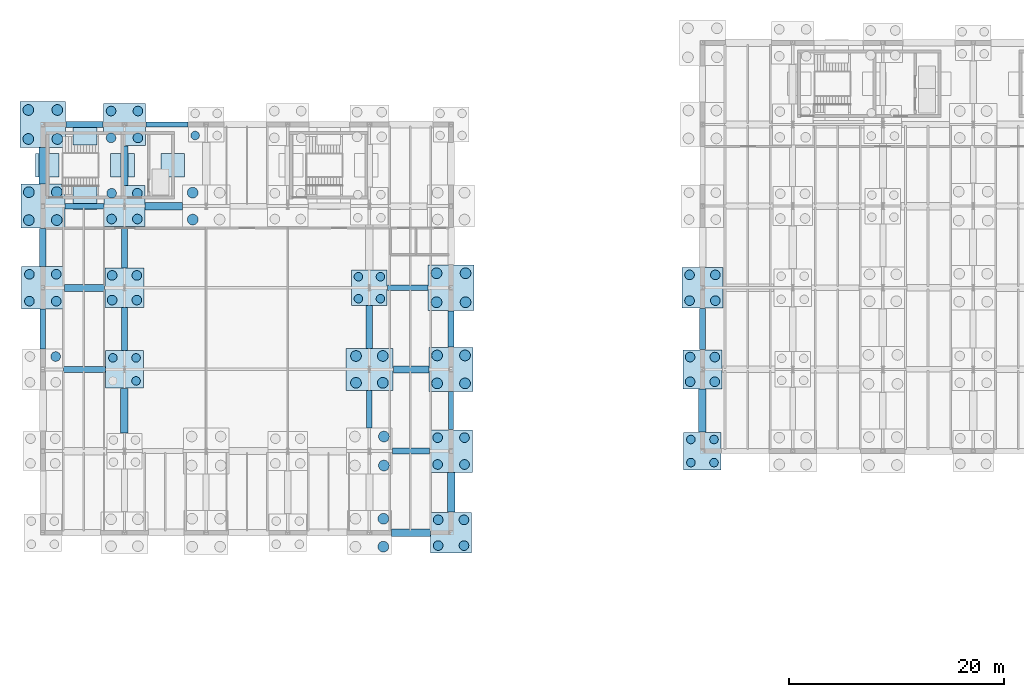
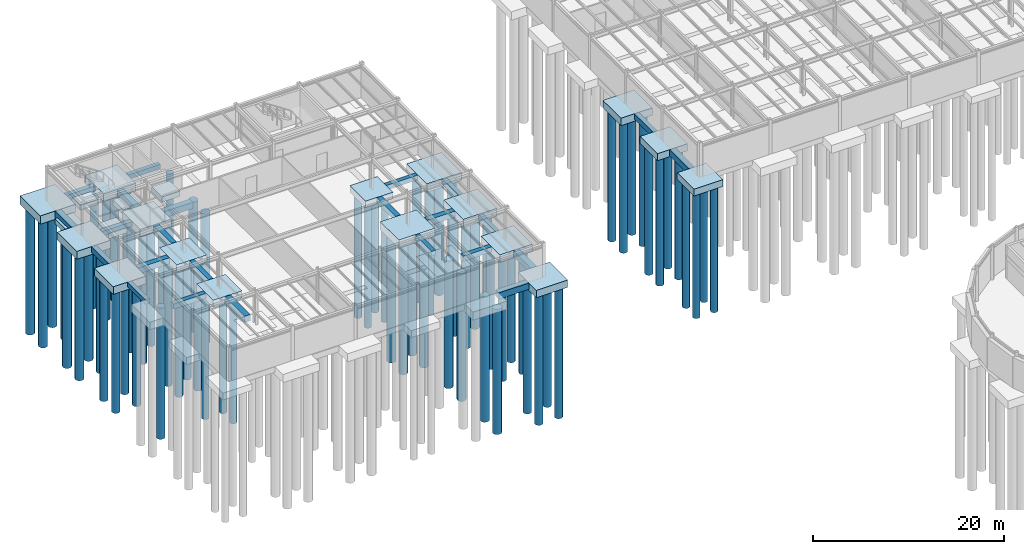
# One storey, part 2 of 33: 71 piles, 45 footings.
"""IFC4 building model written with IfcOpenShell, lengths in metres."""

from ifc_helpers import new_model, si_unit, direction, frame, origin, origin_2d, place, context, subcontext, project, spatial, rectangle, circle, extrude, material, material_profile, profile_set, type_object, element, save


model = new_model("IFC4")

# Units and contexts
model_context = context("Model", 3, precision=1e-05, world=origin(), true_north=direction((0.0, 1.0)))
body_context = subcontext(model_context, "Body", "Model", "MODEL_VIEW")
ifc_project = project(units=[si_unit("LENGTHUNIT", "METRE"), si_unit("AREAUNIT", "SQUARE_METRE"), si_unit("VOLUMEUNIT", "CUBIC_METRE"), si_unit("PLANEANGLEUNIT", "RADIAN"), si_unit("MASSUNIT", "GRAM", prefix="KILO")], contexts=[model_context])

# Site, building, storey
site_placement = place(None, origin())
site = spatial("IfcSite", under=ifc_project, at=site_placement, CompositionType="ELEMENT")
building_placement = place(site_placement, origin())
building = spatial("IfcBuilding", under=site, at=building_placement, Name="Montecoro Central Library", CompositionType="ELEMENT")
storey_placement = place(building_placement, frame((0.0, 0.0, -4.419921875)))
storey = spatial("IfcBuildingStorey", under=building, at=storey_placement, Name="B1", CompositionType="ELEMENT", Elevation=-4.419921875)

# Footings
ifc_material = material(Name="Concrete C35/45", Category="concrete")
footing_type_1 = type_object("IfcFootingType", Name="FT-PAD-220", PredefinedType="PAD_FOOTING", material=ifc_material)
for number, where, z_axis, x_axis, name in (
    (1, (8.919921875, 104.60009765625, -1.150146484375), (0.0, 0.0, 1.0), (1.0, 0.0, 0.0), "FT-WALL-C5-WS"),
    (2, (8.919921875, 110.60009765625, -1.150146484375), (0.0, 0.0, 1.0), (1.0, 0.0, 0.0), "FT-WALL-C5-WN"),
    (3, (5.419921875, 107.60009765625, -1.150146484375), (0.0, 0.0, 1.0), (1.0, 0.0, 0.0), "FT-WALL-C5-WW"),
    (4, (12.419921875, 107.60009765625, -1.150146484375), (0.0, 0.0, 1.0), (1.0, 0.0, 0.0), "FT-WALL-C5-WE"),
    (5, (17.10009765625, 107.60009765625, -1.150146484375), (0.0, 0.0, 1.0), (1.0, 0.0, 0.0), "FT-WALL-C5-LWE"),
):
    element("IfcFooting", number, at=place(storey_placement, frame(where, z_axis=z_axis, x_axis=x_axis)), inside=storey, type_object=footing_type_1, Name=name, PredefinedType="PAD_FOOTING", context=body_context, shape_type="SweptSolid", body=[
        extrude(rectangle(XDim=2.199951171875, YDim=2.199951171875, at=origin_2d()), origin(), (0.0, 0.0, 1.0), 0.64990234375),
    ])
footing_type_2 = type_object("IfcFootingType", Name="FT-PC-330", PredefinedType="PILE_CAP", material=ifc_material)
footing_1_placement = place(storey_placement, frame((35.39990234375, 96.199951171875, -0.85009765625), z_axis=(0.0, 0.0, 1.0), x_axis=(1.0, 0.0, 0.0)))
element("IfcFooting", 6, at=footing_1_placement, inside=storey, type_object=footing_type_2, Name="V4-CAP-5-N", PredefinedType="PILE_CAP", context=body_context, shape_type="SweptSolid", body=[
    extrude(rectangle(XDim=3.300048828125, YDim=3.300048828125, at=origin_2d()), origin(), (0.0, 0.0, 1.0), 0.85009765625),
])
footing_type_3 = type_object("IfcFootingType", Name="FT-PC-350", PredefinedType="PILE_CAP", material=ifc_material)
for number, where, z_axis, x_axis, name in (
    (7, (66.39990234375, 81.0, -0.880126953125), (0.0, 0.0, 1.0), (1.0, 0.0, 0.0), "V2-CAP-9-L"),
    (8, (12.60009765625, 88.60009765625, -0.880126953125), (0.0, 0.0, 1.0), (1.0, 0.0, 0.0), "V4-CAP-2-M"),
):
    element("IfcFooting", number, at=place(storey_placement, frame(where, z_axis=z_axis, x_axis=x_axis)), inside=storey, type_object=footing_type_3, Name=name, PredefinedType="PILE_CAP", context=body_context, shape_type="SweptSolid", body=[
        extrude(rectangle(XDim=3.5, YDim=3.5, at=origin_2d()), origin(), (0.0, 0.0, 1.0), 0.8798828125),
    ])
footing_type_4 = type_object("IfcFootingType", Name="FT-PC-365", PredefinedType="PILE_CAP", material=ifc_material)
for number, where, z_axis, x_axis, name in (
    (9, (66.39990234375, 88.60009765625, -0.900146484375), (0.0, 0.0, 1.0), (1.0, 0.0, 0.0), "V2-CAP-9-M"),
    (10, (12.60009765625, 96.199951171875, -0.900146484375), (0.0, 0.0, 1.0), (1.0, 0.0, 0.0), "V4-CAP-2-N"),
):
    element("IfcFooting", number, at=place(storey_placement, frame(where, z_axis=z_axis, x_axis=x_axis)), inside=storey, type_object=footing_type_4, Name=name, PredefinedType="PILE_CAP", context=body_context, shape_type="SweptSolid", body=[
        extrude(rectangle(XDim=3.64990234375, YDim=3.64990234375, at=origin_2d()), origin(), (0.0, 0.0, 1.0), 0.89990234375),
    ])
footing_type_5 = type_object("IfcFootingType", Name="FT-PC-380", PredefinedType="PILE_CAP", material=ifc_material)
for number, where, z_axis, x_axis, name in (
    (11, (66.39990234375, 96.199951171875, -0.9501953125), (0.0, 0.0, 1.0), (1.0, 0.0, 0.0), "V2-CAP-9-N"),
    (12, (12.60009765625, 103.800048828125, -0.9501953125), (0.0, 0.0, 1.0), (1.0, 0.0, 0.0), "V4-CAP-2-P"),
    (13, (43.0, 73.39990234375, -0.9501953125), (0.0, 0.0, 1.0), (1.0, 0.0, 0.0), "V4-CAP-6-K"),
):
    element("IfcFooting", number, at=place(storey_placement, frame(where, z_axis=z_axis, x_axis=x_axis)), inside=storey, type_object=footing_type_5, Name=name, PredefinedType="PILE_CAP", context=body_context, shape_type="SweptSolid", body=[
        extrude(rectangle(XDim=3.800048828125, YDim=3.800048828125, at=origin_2d()), origin(), (0.0, 0.0, 1.0), 0.949951171875),
    ])
footing_type_6 = type_object("IfcFootingType", Name="FT-PC-395", PredefinedType="PILE_CAP", material=ifc_material)
for number, where, z_axis, x_axis, name in (
    (14, (5.0, 96.199951171875, -0.97998046875), (0.0, 0.0, 1.0), (1.0, 0.0, 0.0), "V4-CAP-1-N"),
    (15, (12.60009765625, 111.39990234375, -0.97998046875), (0.0, 0.0, 1.0), (1.0, 0.0, 0.0), "V4-CAP-2-Q"),
    (16, (43.0, 81.0, -0.97998046875), (0.0, 0.0, 1.0), (1.0, 0.0, 0.0), "V4-CAP-6-L"),
):
    element("IfcFooting", number, at=place(storey_placement, frame(where, z_axis=z_axis, x_axis=x_axis)), inside=storey, type_object=footing_type_6, Name=name, PredefinedType="PILE_CAP", context=body_context, shape_type="SweptSolid", body=[
        extrude(rectangle(XDim=3.949951171875, YDim=3.949951171875, at=origin_2d()), origin(), (0.0, 0.0, 1.0), 0.97998046875),
    ])
footing_type_7 = type_object("IfcFootingType", Name="FT-PC-410", PredefinedType="PILE_CAP", material=ifc_material)
for number, where, z_axis, x_axis, name in (
    (17, (5.0, 103.800048828125, -1.02001953125), (0.0, 0.0, 1.0), (1.0, 0.0, 0.0), "V4-CAP-1-P"),
    (18, (43.0, 88.60009765625, -1.02001953125), (0.0, 0.0, 1.0), (1.0, 0.0, 0.0), "V4-CAP-6-M"),
):
    element("IfcFooting", number, at=place(storey_placement, frame(where, z_axis=z_axis, x_axis=x_axis)), inside=storey, type_object=footing_type_7, Name=name, PredefinedType="PILE_CAP", context=body_context, shape_type="SweptSolid", body=[
        extrude(rectangle(XDim=4.10009765625, YDim=4.10009765625, at=origin_2d()), origin(), (0.0, 0.0, 1.0), 1.02001953125),
    ])
footing_type_8 = type_object("IfcFootingType", Name="FT-PC-425", PredefinedType="PILE_CAP", material=ifc_material)
for number, where, z_axis, x_axis, name in (
    (19, (5.0, 111.39990234375, -1.06005859375), (0.0, 0.0, 1.0), (1.0, 0.0, 0.0), "V4-CAP-1-Q"),
    (20, (43.0, 96.199951171875, -1.06005859375), (0.0, 0.0, 1.0), (1.0, 0.0, 0.0), "V4-CAP-6-N"),
):
    element("IfcFooting", number, at=place(storey_placement, frame(where, z_axis=z_axis, x_axis=x_axis)), inside=storey, type_object=footing_type_8, Name=name, PredefinedType="PILE_CAP", context=body_context, shape_type="SweptSolid", body=[
        extrude(rectangle(XDim=4.25, YDim=4.25, at=origin_2d()), origin(), (0.0, 0.0, 1.0), 1.06005859375),
    ])
footing_type_9 = type_object("IfcFootingType", Name="FT-PC-440", PredefinedType="PILE_CAP", material=ifc_material)
footing_2_placement = place(storey_placement, frame((35.39990234375, 88.60009765625, -1.05029296875), z_axis=(0.0, 0.0, 1.0), x_axis=(1.0, 0.0, 0.0)))
element("IfcFooting", 21, at=footing_2_placement, inside=storey, type_object=footing_type_9, Name="V4-CAP-5-M", PredefinedType="PILE_CAP", context=body_context, shape_type="SweptSolid", body=[
    extrude(rectangle(XDim=4.39990234375, YDim=3.89990234375, at=origin_2d()), origin(), (0.0, 0.0, 1.0), 1.050048828125),
])
footing_type_10 = type_object("IfcFootingType", Name="FT-TB-01", PredefinedType="FOOTING_BEAM", material=ifc_material)
footing_3_placement = place(storey_placement, frame((5.0, 92.362060546875, -0.60009765625), z_axis=(0.0, 0.0, 1.0), x_axis=(1.0, 0.0, 0.0)))
element("IfcFooting", 22, at=footing_3_placement, inside=storey, type_object=footing_type_10, Name="FT-TBY-005", PredefinedType="FOOTING_BEAM", context=body_context, shape_type="SweptSolid", body=[
    extrude(rectangle(XDim=0.5, YDim=3.68505859375, at=origin_2d()), origin(), (0.0, 0.0, 1.0), 0.60009765625),
])
footing_4_placement = place(storey_placement, frame((8.875, 103.800048828125, -0.60009765625), z_axis=(0.0, 0.0, 1.0), x_axis=(1.0, 0.0, 0.0)))
element("IfcFooting", 23, at=footing_4_placement, inside=storey, type_object=footing_type_10, Name="FT-TBX-010", PredefinedType="FOOTING_BEAM", context=body_context, shape_type="SweptSolid", body=[
    extrude(rectangle(XDim=3.610107421875, YDim=0.5, at=origin_2d()), origin(), (0.0, 0.0, 1.0), 0.60009765625),
])
footing_5_placement = place(storey_placement, frame((16.56201171875, 111.39990234375, -0.60009765625), z_axis=(0.0, 0.0, 1.0), x_axis=(1.0, 0.0, 0.0)))
element("IfcFooting", 24, at=footing_5_placement, inside=storey, type_object=footing_type_10, Name="FT-TBX-020", PredefinedType="FOOTING_BEAM", context=body_context, shape_type="SweptSolid", body=[
    extrude(rectangle(XDim=3.93505859375, YDim=0.5, at=origin_2d()), origin(), (0.0, 0.0, 1.0), 0.60009765625),
])
footing_6_placement = place(storey_placement, frame((35.39990234375, 84.886962890625, -0.60009765625), z_axis=(0.0, 0.0, 1.0), x_axis=(1.0, 0.0, 0.0)))
element("IfcFooting", 25, at=footing_6_placement, inside=storey, type_object=footing_type_10, Name="FT-TBY-035", PredefinedType="FOOTING_BEAM", context=body_context, shape_type="SweptSolid", body=[
    extrude(rectangle(XDim=0.5, YDim=3.485107421875, at=origin_2d()), origin(), (0.0, 0.0, 1.0), 0.60009765625),
])
footing_7_placement = place(storey_placement, frame((38.9619140625, 96.199951171875, -0.60009765625), z_axis=(0.0, 0.0, 1.0), x_axis=(1.0, 0.0, 0.0)))
element("IfcFooting", 26, at=footing_7_placement, inside=storey, type_object=footing_type_10, Name="FT-TBX-040", PredefinedType="FOOTING_BEAM", context=body_context, shape_type="SweptSolid", body=[
    extrude(rectangle(XDim=3.784912109375, YDim=0.5, at=origin_2d()), origin(), (0.0, 0.0, 1.0), 0.60009765625),
])
footing_8_placement = place(storey_placement, frame((43.0, 84.762939453125, -0.60009765625), z_axis=(0.0, 0.0, 1.0), x_axis=(1.0, 0.0, 0.0)))
element("IfcFooting", 27, at=footing_8_placement, inside=storey, type_object=footing_type_10, Name="FT-TBY-045", PredefinedType="FOOTING_BEAM", context=body_context, shape_type="SweptSolid", body=[
    extrude(rectangle(XDim=0.5, YDim=3.534912109375, at=origin_2d()), origin(), (0.0, 0.0, 1.0), 0.60009765625),
])
footing_type_11 = type_object("IfcFootingType", Name="FT-TB-02", PredefinedType="FOOTING_BEAM", material=ifc_material)
footing_9_placement = place(storey_placement, frame((8.875, 88.60009765625, -0.650146484375), z_axis=(0.0, 0.0, 1.0), x_axis=(1.0, 0.0, 0.0)))
element("IfcFooting", 28, at=footing_9_placement, inside=storey, type_object=footing_type_11, Name="FT-TBX-006", PredefinedType="FOOTING_BEAM", context=body_context, shape_type="SweptSolid", body=[
    extrude(rectangle(XDim=3.909912109375, YDim=0.550048828125, at=origin_2d()), origin(), (0.0, 0.0, 1.0), 0.64990234375),
])
footing_10_placement = place(storey_placement, frame((8.875, 111.39990234375, -0.650146484375), z_axis=(0.0, 0.0, 1.0), x_axis=(1.0, 0.0, 0.0)))
element("IfcFooting", 29, at=footing_10_placement, inside=storey, type_object=footing_type_11, Name="FT-TBX-011", PredefinedType="FOOTING_BEAM", context=body_context, shape_type="SweptSolid", body=[
    extrude(rectangle(XDim=3.4599609375, YDim=0.550048828125, at=origin_2d()), origin(), (0.0, 0.0, 1.0), 0.64990234375),
])
footing_11_placement = place(storey_placement, frame((12.60009765625, 92.363037109375, -0.650146484375), z_axis=(0.0, 0.0, 1.0), x_axis=(1.0, 0.0, 0.0)))
element("IfcFooting", 30, at=footing_11_placement, inside=storey, type_object=footing_type_11, Name="FT-TBY-016", PredefinedType="FOOTING_BEAM", context=body_context, shape_type="SweptSolid", body=[
    extrude(rectangle(XDim=0.550048828125, YDim=3.985107421875, at=origin_2d()), origin(), (0.0, 0.0, 1.0), 0.64990234375),
])
footing_12_placement = place(storey_placement, frame((39.27490234375, 81.0, -0.650146484375), z_axis=(0.0, 0.0, 1.0), x_axis=(1.0, 0.0, 0.0)))
element("IfcFooting", 31, at=footing_12_placement, inside=storey, type_object=footing_type_11, Name="FT-TBX-036", PredefinedType="FOOTING_BEAM", context=body_context, shape_type="SweptSolid", body=[
    extrude(rectangle(XDim=3.4599609375, YDim=0.550048828125, at=origin_2d()), origin(), (0.0, 0.0, 1.0), 0.64990234375),
])
footing_13_placement = place(storey_placement, frame((43.0, 92.363037109375, -0.650146484375), z_axis=(0.0, 0.0, 1.0), x_axis=(1.0, 0.0, 0.0)))
element("IfcFooting", 32, at=footing_13_placement, inside=storey, type_object=footing_type_11, Name="FT-TBY-046", PredefinedType="FOOTING_BEAM", context=body_context, shape_type="SweptSolid", body=[
    extrude(rectangle(XDim=0.550048828125, YDim=3.385009765625, at=origin_2d()), origin(), (0.0, 0.0, 1.0), 0.64990234375),
])
footing_14_placement = place(storey_placement, frame((66.39990234375, 92.362060546875, -0.650146484375), z_axis=(0.0, 0.0, 1.0), x_axis=(1.0, 0.0, 0.0)))
element("IfcFooting", 33, at=footing_14_placement, inside=storey, type_object=footing_type_11, Name="FT-TBY-051", PredefinedType="FOOTING_BEAM", context=body_context, shape_type="SweptSolid", body=[
    extrude(rectangle(XDim=0.550048828125, YDim=3.8349609375, at=origin_2d()), origin(), (0.0, 0.0, 1.0), 0.64990234375),
])
footing_type_12 = type_object("IfcFootingType", Name="FT-TB-03", PredefinedType="FOOTING_BEAM", material=ifc_material)
footing_15_placement = place(storey_placement, frame((5.0, 99.962890625, -0.7001953125), z_axis=(0.0, 0.0, 1.0), x_axis=(1.0, 0.0, 0.0)))
element("IfcFooting", 34, at=footing_15_placement, inside=storey, type_object=footing_type_12, Name="FT-TBY-007", PredefinedType="FOOTING_BEAM", context=body_context, shape_type="SweptSolid", body=[
    extrude(rectangle(XDim=0.60009765625, YDim=3.534912109375, at=origin_2d()), origin(), (0.0, 0.0, 1.0), 0.699951171875),
])
footing_16_placement = place(storey_placement, frame((12.60009765625, 99.962890625, -0.7001953125), z_axis=(0.0, 0.0, 1.0), x_axis=(1.0, 0.0, 0.0)))
element("IfcFooting", 35, at=footing_16_placement, inside=storey, type_object=footing_type_12, Name="FT-TBY-017", PredefinedType="FOOTING_BEAM", context=body_context, shape_type="SweptSolid", body=[
    extrude(rectangle(XDim=0.60009765625, YDim=3.8349609375, at=origin_2d()), origin(), (0.0, 0.0, 1.0), 0.699951171875),
])
footing_17_placement = place(storey_placement, frame((35.39990234375, 92.550048828125, -0.7001953125), z_axis=(0.0, 0.0, 1.0), x_axis=(1.0, 0.0, 0.0)))
element("IfcFooting", 36, at=footing_17_placement, inside=storey, type_object=footing_type_12, Name="FT-TBY-037", PredefinedType="FOOTING_BEAM", context=body_context, shape_type="SweptSolid", body=[
    extrude(rectangle(XDim=0.60009765625, YDim=3.9599609375, at=origin_2d()), origin(), (0.0, 0.0, 1.0), 0.699951171875),
])
footing_type_13 = type_object("IfcFootingType", Name="FT-TB-04", PredefinedType="FOOTING_BEAM", material=ifc_material)
footing_18_placement = place(storey_placement, frame((8.875, 96.199951171875, -0.75), z_axis=(0.0, 0.0, 1.0), x_axis=(1.0, 0.0, 0.0)))
element("IfcFooting", 37, at=footing_18_placement, inside=storey, type_object=footing_type_13, Name="FT-TBX-008", PredefinedType="FOOTING_BEAM", context=body_context, shape_type="SweptSolid", body=[
    extrude(rectangle(XDim=3.760009765625, YDim=0.64990234375, at=origin_2d()), origin(), (0.0, 0.0, 1.0), 0.75),
])
footing_19_placement = place(storey_placement, frame((12.60009765625, 107.56201171875, -0.75), z_axis=(0.0, 0.0, 1.0), x_axis=(1.0, 0.0, 0.0)))
element("IfcFooting", 38, at=footing_19_placement, inside=storey, type_object=footing_type_13, Name="FT-TBY-018", PredefinedType="FOOTING_BEAM", context=body_context, shape_type="SweptSolid", body=[
    extrude(rectangle(XDim=0.64990234375, YDim=3.68505859375, at=origin_2d()), origin(), (0.0, 0.0, 1.0), 0.75),
])
footing_20_placement = place(storey_placement, frame((39.27490234375, 88.60009765625, -0.75), z_axis=(0.0, 0.0, 1.0), x_axis=(1.0, 0.0, 0.0)))
element("IfcFooting", 39, at=footing_20_placement, inside=storey, type_object=footing_type_13, Name="FT-TBX-038", PredefinedType="FOOTING_BEAM", context=body_context, shape_type="SweptSolid", body=[
    extrude(rectangle(XDim=3.31005859375, YDim=0.64990234375, at=origin_2d()), origin(), (0.0, 0.0, 1.0), 0.75),
])
footing_type_14 = type_object("IfcFootingType", Name="FT-TB-05", PredefinedType="FOOTING_BEAM", material=ifc_material)
footing_21_placement = place(storey_placement, frame((5.0, 107.56201171875, -0.80029296875), z_axis=(0.0, 0.0, 1.0), x_axis=(1.0, 0.0, 0.0)))
element("IfcFooting", 40, at=footing_21_placement, inside=storey, type_object=footing_type_14, Name="FT-TBY-009", PredefinedType="FOOTING_BEAM", context=body_context, shape_type="SweptSolid", body=[
    extrude(rectangle(XDim=0.699951171875, YDim=3.385009765625, at=origin_2d()), origin(), (0.0, 0.0, 1.0), 0.800048828125),
])
footing_22_placement = place(storey_placement, frame((12.60009765625, 84.75, -0.80029296875), z_axis=(0.0, 0.0, 1.0), x_axis=(1.0, 0.0, 0.0)))
element("IfcFooting", 41, at=footing_22_placement, inside=storey, type_object=footing_type_14, Name="FT-TBY-014", PredefinedType="FOOTING_BEAM", context=body_context, shape_type="SweptSolid", body=[
    extrude(rectangle(XDim=0.699951171875, YDim=4.159912109375, at=origin_2d()), origin(), (0.0, 0.0, 1.0), 0.800048828125),
])
footing_23_placement = place(storey_placement, frame((16.25, 103.800048828125, -0.80029296875), z_axis=(0.0, 0.0, 1.0), x_axis=(1.0, 0.0, 0.0)))
element("IfcFooting", 42, at=footing_23_placement, inside=storey, type_object=footing_type_14, Name="FT-TBX-019", PredefinedType="FOOTING_BEAM", context=body_context, shape_type="SweptSolid", body=[
    extrude(rectangle(XDim=3.4599609375, YDim=0.699951171875, at=origin_2d()), origin(), (0.0, 0.0, 1.0), 0.800048828125),
])
footing_24_placement = place(storey_placement, frame((39.27490234375, 73.39990234375, -0.80029296875), z_axis=(0.0, 0.0, 1.0), x_axis=(1.0, 0.0, 0.0)))
element("IfcFooting", 43, at=footing_24_placement, inside=storey, type_object=footing_type_14, Name="FT-TBX-034", PredefinedType="FOOTING_BEAM", context=body_context, shape_type="SweptSolid", body=[
    extrude(rectangle(XDim=3.610107421875, YDim=0.699951171875, at=origin_2d()), origin(), (0.0, 0.0, 1.0), 0.800048828125),
])
footing_25_placement = place(storey_placement, frame((43.0, 77.162109375, -0.80029296875), z_axis=(0.0, 0.0, 1.0), x_axis=(1.0, 0.0, 0.0)))
element("IfcFooting", 44, at=footing_25_placement, inside=storey, type_object=footing_type_14, Name="FT-TBY-044", PredefinedType="FOOTING_BEAM", context=body_context, shape_type="SweptSolid", body=[
    extrude(rectangle(XDim=0.699951171875, YDim=3.68505859375, at=origin_2d()), origin(), (0.0, 0.0, 1.0), 0.800048828125),
])
footing_26_placement = place(storey_placement, frame((66.39990234375, 84.761962890625, -0.80029296875), z_axis=(0.0, 0.0, 1.0), x_axis=(1.0, 0.0, 0.0)))
element("IfcFooting", 45, at=footing_26_placement, inside=storey, type_object=footing_type_14, Name="FT-TBY-049", PredefinedType="FOOTING_BEAM", context=body_context, shape_type="SweptSolid", body=[
    extrude(rectangle(XDim=0.699951171875, YDim=3.985107421875, at=origin_2d()), origin(), (0.0, 0.0, 1.0), 0.800048828125),
])

# Piles
ifc_material_profile_1 = material_profile(ifc_material, circle(Radius=0.5, at=origin_2d()), Name="PILE D1000")
ifc_profile_set_1 = profile_set([ifc_material_profile_1], Name="Concrete C35/45")
pile_type_1 = type_object("IfcPileType", Name="PL-BORED-1000", PredefinedType="BORED", material=ifc_profile_set_1)
for number, where, z_axis, x_axis, name in (
    (46, (3.699951171875, 102.5, -0.920166015625), (0.0, 0.0, -1.0), (1.0, 0.0, 0.0), "V4-CAP-1-P-P1"),
    (47, (3.699951171875, 105.10009765625, -0.920166015625), (0.0, 0.0, -1.0), (1.0, 0.0, 0.0), "V4-CAP-1-P-P2"),
    (48, (6.300048828125, 102.5, -0.920166015625), (0.0, 0.0, -1.0), (1.0, 0.0, 0.0), "V4-CAP-1-P-P3"),
    (49, (6.300048828125, 105.10009765625, -0.920166015625), (0.0, 0.0, -1.0), (1.0, 0.0, 0.0), "V4-CAP-1-P-P4"),
):
    element("IfcPile", number, at=place(storey_placement, frame(where, z_axis=z_axis, x_axis=x_axis)), inside=storey, type_object=pile_type_1, Name=name, PredefinedType="BORED", context=body_context, shape_type="SweptSolid", body=[
        extrude(circle(Radius=0.5, at=origin_2d()), origin(), (0.0, 0.0, 1.0), 16.010009765625),
    ])
for number, where, z_axis, x_axis, name in (
    (50, (3.64990234375, 110.050048828125, -0.9599609375), (0.0, 0.0, -1.0), (1.0, 0.0, 0.0), "V4-CAP-1-Q-P1"),
    (51, (3.64990234375, 112.75, -0.9599609375), (0.0, 0.0, -1.0), (1.0, 0.0, 0.0), "V4-CAP-1-Q-P2"),
    (52, (6.35009765625, 110.050048828125, -0.9599609375), (0.0, 0.0, -1.0), (1.0, 0.0, 0.0), "V4-CAP-1-Q-P3"),
    (53, (6.35009765625, 112.75, -0.9599609375), (0.0, 0.0, -1.0), (1.0, 0.0, 0.0), "V4-CAP-1-Q-P4"),
):
    element("IfcPile", number, at=place(storey_placement, frame(where, z_axis=z_axis, x_axis=x_axis)), inside=storey, type_object=pile_type_1, Name=name, PredefinedType="BORED", context=body_context, shape_type="SweptSolid", body=[
        extrude(circle(Radius=0.5, at=origin_2d()), origin(), (0.0, 0.0, 1.0), 16.320068359375),
    ])
for number, where, z_axis, x_axis, name in (
    (54, (18.949951171875, 102.550048828125, -0.9501953125), (0.0, 0.0, -1.0), (1.0, 0.0, 0.0), "V4-CAP-3-P-P1"),
    (55, (18.949951171875, 105.050048828125, -0.9501953125), (0.0, 0.0, -1.0), (1.0, 0.0, 0.0), "V4-CAP-3-P-P2"),
):
    element("IfcPile", number, at=place(storey_placement, frame(where, z_axis=z_axis, x_axis=x_axis)), inside=storey, type_object=pile_type_1, Name=name, PredefinedType="BORED", context=body_context, shape_type="SweptSolid", body=[
        extrude(circle(Radius=0.5, at=origin_2d()), origin(), (0.0, 0.0, 1.0), 16.679931640625),
    ])
for number, where, z_axis, x_axis, name in (
    (56, (36.699951171875, 72.10009765625, -0.920166015625), (0.0, 0.0, -1.0), (1.0, 0.0, 0.0), "V4-CAP-5-K-P3"),
    (57, (36.699951171875, 74.699951171875, -0.920166015625), (0.0, 0.0, -1.0), (1.0, 0.0, 0.0), "V4-CAP-5-K-P4"),
):
    element("IfcPile", number, at=place(storey_placement, frame(where, z_axis=z_axis, x_axis=x_axis)), inside=storey, type_object=pile_type_1, Name=name, PredefinedType="BORED", context=body_context, shape_type="SweptSolid", body=[
        extrude(circle(Radius=0.5, at=origin_2d()), origin(), (0.0, 0.0, 1.0), 16.010009765625),
    ])
for number, where, z_axis, x_axis, name in (
    (58, (36.75, 79.64990234375, -0.9599609375), (0.0, 0.0, -1.0), (1.0, 0.0, 0.0), "V4-CAP-5-L-P3"),
    (59, (36.75, 82.35009765625, -0.9599609375), (0.0, 0.0, -1.0), (1.0, 0.0, 0.0), "V4-CAP-5-L-P4"),
):
    element("IfcPile", number, at=place(storey_placement, frame(where, z_axis=z_axis, x_axis=x_axis)), inside=storey, type_object=pile_type_1, Name=name, PredefinedType="BORED", context=body_context, shape_type="SweptSolid", body=[
        extrude(circle(Radius=0.5, at=origin_2d()), origin(), (0.0, 0.0, 1.0), 16.320068359375),
    ])
for number, where, z_axis, x_axis, name in (
    (60, (34.14990234375, 87.35009765625, -0.9501953125), (0.0, 0.0, -1.0), (1.0, 0.0, 0.0), "V4-CAP-5-M-P1"),
    (61, (34.14990234375, 89.85009765625, -0.9501953125), (0.0, 0.0, -1.0), (1.0, 0.0, 0.0), "V4-CAP-5-M-P2"),
    (62, (36.64990234375, 87.35009765625, -0.9501953125), (0.0, 0.0, -1.0), (1.0, 0.0, 0.0), "V4-CAP-5-M-P3"),
    (63, (36.64990234375, 89.85009765625, -0.9501953125), (0.0, 0.0, -1.0), (1.0, 0.0, 0.0), "V4-CAP-5-M-P4"),
):
    element("IfcPile", number, at=place(storey_placement, frame(where, z_axis=z_axis, x_axis=x_axis)), inside=storey, type_object=pile_type_1, Name=name, PredefinedType="BORED", context=body_context, shape_type="SweptSolid", body=[
        extrude(circle(Radius=0.5, at=origin_2d()), origin(), (0.0, 0.0, 1.0), 16.679931640625),
    ])
for number, where, z_axis, x_axis, name in (
    (64, (41.699951171875, 87.300048828125, -0.920166015625), (0.0, 0.0, -1.0), (1.0, 0.0, 0.0), "V4-CAP-6-M-P1"),
    (65, (41.699951171875, 89.89990234375, -0.920166015625), (0.0, 0.0, -1.0), (1.0, 0.0, 0.0), "V4-CAP-6-M-P2"),
    (66, (44.300048828125, 87.300048828125, -0.920166015625), (0.0, 0.0, -1.0), (1.0, 0.0, 0.0), "V4-CAP-6-M-P3"),
    (67, (44.300048828125, 89.89990234375, -0.920166015625), (0.0, 0.0, -1.0), (1.0, 0.0, 0.0), "V4-CAP-6-M-P4"),
):
    element("IfcPile", number, at=place(storey_placement, frame(where, z_axis=z_axis, x_axis=x_axis)), inside=storey, type_object=pile_type_1, Name=name, PredefinedType="BORED", context=body_context, shape_type="SweptSolid", body=[
        extrude(circle(Radius=0.5, at=origin_2d()), origin(), (0.0, 0.0, 1.0), 16.010009765625),
    ])
for number, where, z_axis, x_axis, name in (
    (68, (41.64990234375, 94.85009765625, -0.9599609375), (0.0, 0.0, -1.0), (1.0, 0.0, 0.0), "V4-CAP-6-N-P1"),
    (69, (41.64990234375, 97.550048828125, -0.9599609375), (0.0, 0.0, -1.0), (1.0, 0.0, 0.0), "V4-CAP-6-N-P2"),
    (70, (44.35009765625, 94.85009765625, -0.9599609375), (0.0, 0.0, -1.0), (1.0, 0.0, 0.0), "V4-CAP-6-N-P3"),
    (71, (44.35009765625, 97.550048828125, -0.9599609375), (0.0, 0.0, -1.0), (1.0, 0.0, 0.0), "V4-CAP-6-N-P4"),
):
    element("IfcPile", number, at=place(storey_placement, frame(where, z_axis=z_axis, x_axis=x_axis)), inside=storey, type_object=pile_type_1, Name=name, PredefinedType="BORED", context=body_context, shape_type="SweptSolid", body=[
        extrude(circle(Radius=0.5, at=origin_2d()), origin(), (0.0, 0.0, 1.0), 16.320068359375),
    ])
ifc_material_profile_2 = material_profile(ifc_material, circle(Radius=0.39990234375, at=origin_2d()), Name="PILE D800")
ifc_profile_set_2 = profile_set([ifc_material_profile_2], Name="Concrete C35/45")
pile_type_2 = type_object("IfcPileType", Name="PL-BORED-800", PredefinedType="BORED", material=ifc_profile_set_2)
for number, where, z_axis, x_axis, name in (
    (72, (65.324951171875, 79.925048828125, -0.780029296875), (0.0, 0.0, -1.0), (1.0, 0.0, 0.0), "V2-CAP-9-L-P1"),
    (73, (65.324951171875, 82.074951171875, -0.780029296875), (0.0, 0.0, -1.0), (1.0, 0.0, 0.0), "V2-CAP-9-L-P2"),
    (74, (67.47509765625, 79.925048828125, -0.780029296875), (0.0, 0.0, -1.0), (1.0, 0.0, 0.0), "V2-CAP-9-L-P3"),
    (75, (67.47509765625, 82.074951171875, -0.780029296875), (0.0, 0.0, -1.0), (1.0, 0.0, 0.0), "V2-CAP-9-L-P4"),
    (76, (11.52490234375, 89.675048828125, -0.780029296875), (0.0, 0.0, -1.0), (1.0, 0.0, 0.0), "V4-CAP-2-M-P2"),
    (77, (13.675048828125, 87.52490234375, -0.780029296875), (0.0, 0.0, -1.0), (1.0, 0.0, 0.0), "V4-CAP-2-M-P3"),
    (78, (13.675048828125, 89.675048828125, -0.780029296875), (0.0, 0.0, -1.0), (1.0, 0.0, 0.0), "V4-CAP-2-M-P4"),
):
    element("IfcPile", number, at=place(storey_placement, frame(where, z_axis=z_axis, x_axis=x_axis)), inside=storey, type_object=pile_type_2, Name=name, PredefinedType="BORED", context=body_context, shape_type="SweptSolid", body=[
        extrude(circle(Radius=0.39990234375, at=origin_2d()), origin(), (0.0, 0.0, 1.0), 16.14990234375),
    ])
for number, where, z_axis, x_axis, name in (
    (79, (19.175048828125, 110.375, -0.75), (0.0, 0.0, -1.0), (1.0, 0.0, 0.0), "V4-CAP-3-Q-P1"),
    (80, (34.375, 95.175048828125, -0.75), (0.0, 0.0, -1.0), (1.0, 0.0, 0.0), "V4-CAP-5-N-P1"),
    (81, (34.375, 97.22509765625, -0.75), (0.0, 0.0, -1.0), (1.0, 0.0, 0.0), "V4-CAP-5-N-P2"),
    (82, (36.425048828125, 95.175048828125, -0.75), (0.0, 0.0, -1.0), (1.0, 0.0, 0.0), "V4-CAP-5-N-P3"),
    (83, (36.425048828125, 97.22509765625, -0.75), (0.0, 0.0, -1.0), (1.0, 0.0, 0.0), "V4-CAP-5-N-P4"),
):
    element("IfcPile", number, at=place(storey_placement, frame(where, z_axis=z_axis, x_axis=x_axis)), inside=storey, type_object=pile_type_2, Name=name, PredefinedType="BORED", context=body_context, shape_type="SweptSolid", body=[
        extrude(circle(Radius=0.39990234375, at=origin_2d()), origin(), (0.0, 0.0, 1.0), 15.830078125),
    ])
ifc_material_profile_3 = material_profile(ifc_material, circle(Radius=0.449951171875, at=origin_2d()), Name="PILE D900")
ifc_profile_set_3 = profile_set([ifc_material_profile_3], Name="Concrete C35/45")
pile_type_3 = type_object("IfcPileType", Name="PL-BORED-900", PredefinedType="BORED", material=ifc_profile_set_3)
for number, where, z_axis, x_axis, name in (
    (84, (65.25, 87.449951171875, -0.800048828125), (0.0, 0.0, -1.0), (1.0, 0.0, 0.0), "V2-CAP-9-M-P1"),
    (85, (65.25, 89.75, -0.800048828125), (0.0, 0.0, -1.0), (1.0, 0.0, 0.0), "V2-CAP-9-M-P2"),
    (86, (67.550048828125, 87.449951171875, -0.800048828125), (0.0, 0.0, -1.0), (1.0, 0.0, 0.0), "V2-CAP-9-M-P3"),
    (87, (67.550048828125, 89.75, -0.800048828125), (0.0, 0.0, -1.0), (1.0, 0.0, 0.0), "V2-CAP-9-M-P4"),
):
    element("IfcPile", number, at=place(storey_placement, frame(where, z_axis=z_axis, x_axis=x_axis)), inside=storey, type_object=pile_type_3, Name=name, PredefinedType="BORED", context=body_context, shape_type="SweptSolid", body=[
        extrude(circle(Radius=0.449951171875, at=origin_2d()), origin(), (0.0, 0.0, 1.0), 16.47998046875),
    ])
for number, where, z_axis, x_axis, name in (
    (88, (65.199951171875, 95.0, -0.85009765625), (0.0, 0.0, -1.0), (1.0, 0.0, 0.0), "V2-CAP-9-N-P1"),
    (89, (65.199951171875, 97.39990234375, -0.85009765625), (0.0, 0.0, -1.0), (1.0, 0.0, 0.0), "V2-CAP-9-N-P2"),
    (90, (67.60009765625, 95.0, -0.85009765625), (0.0, 0.0, -1.0), (1.0, 0.0, 0.0), "V2-CAP-9-N-P3"),
    (91, (67.60009765625, 97.39990234375, -0.85009765625), (0.0, 0.0, -1.0), (1.0, 0.0, 0.0), "V2-CAP-9-N-P4"),
    (92, (6.199951171875, 89.800048828125, -0.85009765625), (0.0, 0.0, -1.0), (1.0, 0.0, 0.0), "V4-CAP-1-M-P4"),
):
    element("IfcPile", number, at=place(storey_placement, frame(where, z_axis=z_axis, x_axis=x_axis)), inside=storey, type_object=pile_type_3, Name=name, PredefinedType="BORED", context=body_context, shape_type="SweptSolid", body=[
        extrude(circle(Radius=0.449951171875, at=origin_2d()), origin(), (0.0, 0.0, 1.0), 16.780029296875),
    ])
for number, where, z_axis, x_axis, name in (
    (93, (3.75, 94.949951171875, -0.880126953125), (0.0, 0.0, -1.0), (1.0, 0.0, 0.0), "V4-CAP-1-N-P1"),
    (94, (3.75, 97.449951171875, -0.880126953125), (0.0, 0.0, -1.0), (1.0, 0.0, 0.0), "V4-CAP-1-N-P2"),
    (95, (6.25, 94.949951171875, -0.880126953125), (0.0, 0.0, -1.0), (1.0, 0.0, 0.0), "V4-CAP-1-N-P3"),
    (96, (6.25, 97.449951171875, -0.880126953125), (0.0, 0.0, -1.0), (1.0, 0.0, 0.0), "V4-CAP-1-N-P4"),
):
    element("IfcPile", number, at=place(storey_placement, frame(where, z_axis=z_axis, x_axis=x_axis)), inside=storey, type_object=pile_type_3, Name=name, PredefinedType="BORED", context=body_context, shape_type="SweptSolid", body=[
        extrude(circle(Radius=0.449951171875, at=origin_2d()), origin(), (0.0, 0.0, 1.0), 15.699951171875),
    ])
for number, where, z_axis, x_axis, name in (
    (97, (11.449951171875, 95.050048828125, -0.800048828125), (0.0, 0.0, -1.0), (1.0, 0.0, 0.0), "V4-CAP-2-N-P1"),
    (98, (11.449951171875, 97.35009765625, -0.800048828125), (0.0, 0.0, -1.0), (1.0, 0.0, 0.0), "V4-CAP-2-N-P2"),
    (99, (13.75, 95.050048828125, -0.800048828125), (0.0, 0.0, -1.0), (1.0, 0.0, 0.0), "V4-CAP-2-N-P3"),
    (100, (13.75, 97.35009765625, -0.800048828125), (0.0, 0.0, -1.0), (1.0, 0.0, 0.0), "V4-CAP-2-N-P4"),
):
    element("IfcPile", number, at=place(storey_placement, frame(where, z_axis=z_axis, x_axis=x_axis)), inside=storey, type_object=pile_type_3, Name=name, PredefinedType="BORED", context=body_context, shape_type="SweptSolid", body=[
        extrude(circle(Radius=0.449951171875, at=origin_2d()), origin(), (0.0, 0.0, 1.0), 16.47998046875),
    ])
for number, where, z_axis, x_axis, name in (
    (101, (11.39990234375, 102.60009765625, -0.85009765625), (0.0, 0.0, -1.0), (1.0, 0.0, 0.0), "V4-CAP-2-P-P1"),
    (102, (11.39990234375, 105.0, -0.85009765625), (0.0, 0.0, -1.0), (1.0, 0.0, 0.0), "V4-CAP-2-P-P2"),
    (103, (13.800048828125, 102.60009765625, -0.85009765625), (0.0, 0.0, -1.0), (1.0, 0.0, 0.0), "V4-CAP-2-P-P3"),
    (104, (13.800048828125, 105.0, -0.85009765625), (0.0, 0.0, -1.0), (1.0, 0.0, 0.0), "V4-CAP-2-P-P4"),
):
    element("IfcPile", number, at=place(storey_placement, frame(where, z_axis=z_axis, x_axis=x_axis)), inside=storey, type_object=pile_type_3, Name=name, PredefinedType="BORED", context=body_context, shape_type="SweptSolid", body=[
        extrude(circle(Radius=0.449951171875, at=origin_2d()), origin(), (0.0, 0.0, 1.0), 16.780029296875),
    ])
for number, where, z_axis, x_axis, name in (
    (105, (11.35009765625, 110.14990234375, -0.880126953125), (0.0, 0.0, -1.0), (1.0, 0.0, 0.0), "V4-CAP-2-Q-P1"),
    (106, (11.35009765625, 112.64990234375, -0.880126953125), (0.0, 0.0, -1.0), (1.0, 0.0, 0.0), "V4-CAP-2-Q-P2"),
    (107, (13.85009765625, 110.14990234375, -0.880126953125), (0.0, 0.0, -1.0), (1.0, 0.0, 0.0), "V4-CAP-2-Q-P3"),
    (108, (13.85009765625, 112.64990234375, -0.880126953125), (0.0, 0.0, -1.0), (1.0, 0.0, 0.0), "V4-CAP-2-Q-P4"),
):
    element("IfcPile", number, at=place(storey_placement, frame(where, z_axis=z_axis, x_axis=x_axis)), inside=storey, type_object=pile_type_3, Name=name, PredefinedType="BORED", context=body_context, shape_type="SweptSolid", body=[
        extrude(circle(Radius=0.449951171875, at=origin_2d()), origin(), (0.0, 0.0, 1.0), 15.699951171875),
    ])
for number, where, z_axis, x_axis, name in (
    (109, (41.800048828125, 72.199951171875, -0.85009765625), (0.0, 0.0, -1.0), (1.0, 0.0, 0.0), "V4-CAP-6-K-P1"),
    (110, (41.800048828125, 74.60009765625, -0.85009765625), (0.0, 0.0, -1.0), (1.0, 0.0, 0.0), "V4-CAP-6-K-P2"),
    (111, (44.199951171875, 72.199951171875, -0.85009765625), (0.0, 0.0, -1.0), (1.0, 0.0, 0.0), "V4-CAP-6-K-P3"),
    (112, (44.199951171875, 74.60009765625, -0.85009765625), (0.0, 0.0, -1.0), (1.0, 0.0, 0.0), "V4-CAP-6-K-P4"),
):
    element("IfcPile", number, at=place(storey_placement, frame(where, z_axis=z_axis, x_axis=x_axis)), inside=storey, type_object=pile_type_3, Name=name, PredefinedType="BORED", context=body_context, shape_type="SweptSolid", body=[
        extrude(circle(Radius=0.449951171875, at=origin_2d()), origin(), (0.0, 0.0, 1.0), 16.780029296875),
    ])
for number, where, z_axis, x_axis, name in (
    (113, (41.75, 79.75, -0.880126953125), (0.0, 0.0, -1.0), (1.0, 0.0, 0.0), "V4-CAP-6-L-P1"),
    (114, (41.75, 82.25, -0.880126953125), (0.0, 0.0, -1.0), (1.0, 0.0, 0.0), "V4-CAP-6-L-P2"),
    (115, (44.25, 79.75, -0.880126953125), (0.0, 0.0, -1.0), (1.0, 0.0, 0.0), "V4-CAP-6-L-P3"),
    (116, (44.25, 82.25, -0.880126953125), (0.0, 0.0, -1.0), (1.0, 0.0, 0.0), "V4-CAP-6-L-P4"),
):
    element("IfcPile", number, at=place(storey_placement, frame(where, z_axis=z_axis, x_axis=x_axis)), inside=storey, type_object=pile_type_3, Name=name, PredefinedType="BORED", context=body_context, shape_type="SweptSolid", body=[
        extrude(circle(Radius=0.449951171875, at=origin_2d()), origin(), (0.0, 0.0, 1.0), 15.699951171875),
    ])

save(model, "model.ifc")
